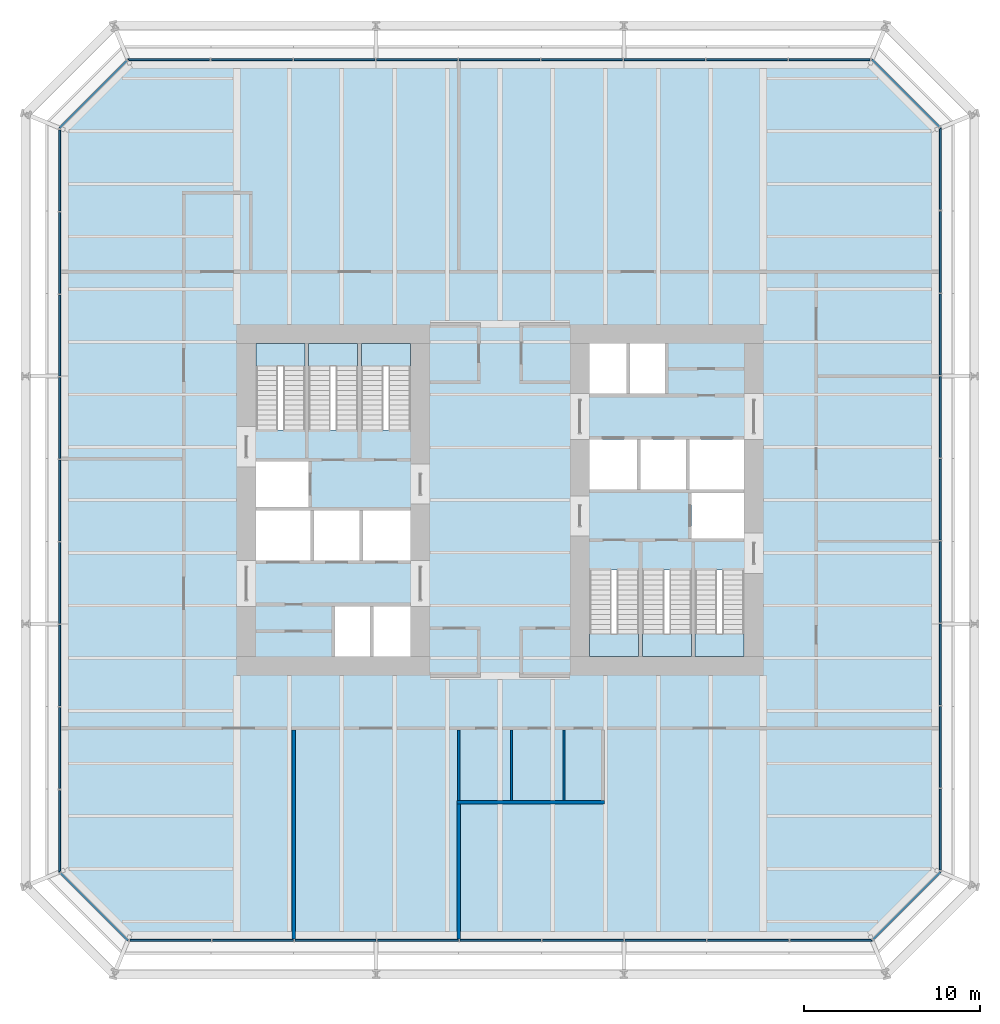
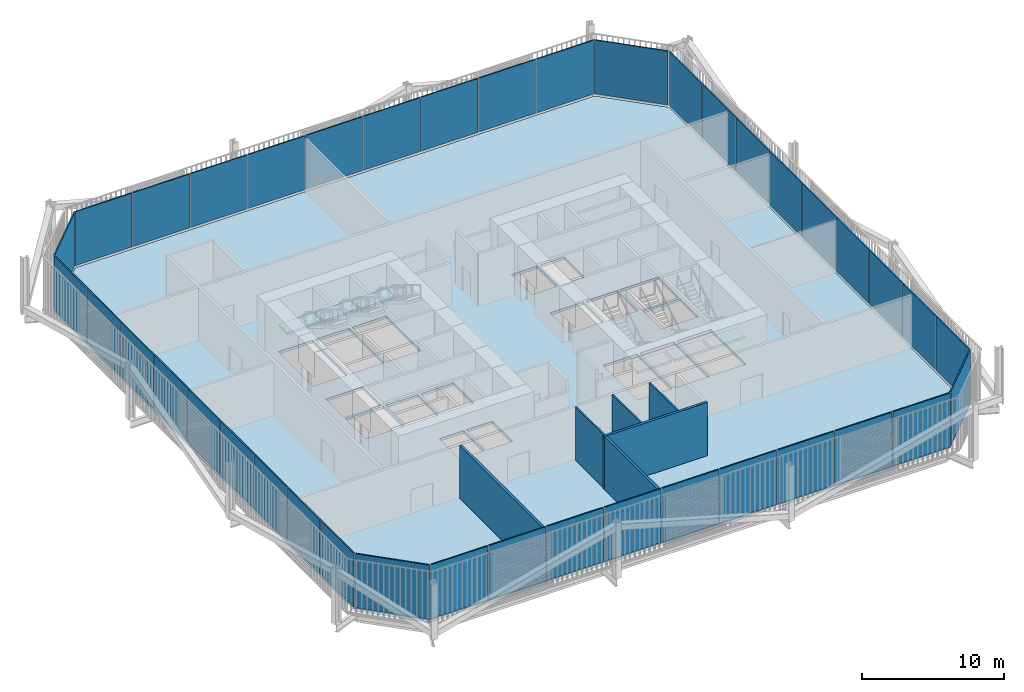
# One storey, part 17 of 22: 40 plates, 7 slabs, 6 walls, 14 elements without a shape of their own.
"""IFC4 building model written with IfcOpenShell, lengths in metres."""

from ifc_helpers import new_model, si_unit, direction, frame, frame_2d, origin, place, context, subcontext, project, spatial, polyline, rectangle, outline, extrude, material, layer, layer_set, type_object, element, aggregate, save


model = new_model("IFC4")

# Units and contexts
model_context = context("Model", 3, precision=1e-05, world=origin(), true_north=direction((0.0, 1.0)))
body_context = subcontext(model_context, "Body", "Model", "MODEL_VIEW")
ifc_project = project(units=[si_unit("LENGTHUNIT", "METRE"), si_unit("AREAUNIT", "SQUARE_METRE"), si_unit("VOLUMEUNIT", "CUBIC_METRE"), si_unit("PLANEANGLEUNIT", "RADIAN"), si_unit("MASSUNIT", "GRAM", prefix="KILO")], contexts=[model_context])

# Site, building, storey
site_placement = place(None, origin())
site = spatial("IfcSite", under=ifc_project, at=site_placement, CompositionType="ELEMENT")
building_placement = place(site_placement, origin())
building = spatial("IfcBuilding", under=site, at=building_placement, Name="Millrace Tower", CompositionType="ELEMENT")
storey_placement = place(building_placement, frame((0.0, 0.0, 30.5)))
storey = spatial("IfcBuildingStorey", under=building, at=storey_placement, Name="L07", CompositionType="ELEMENT", Elevation=30.5)

# Curtain wall, plate
ifc_material_1 = material(Name="Aluminium and glass", Category="aluminium")
ifc_layer_1 = layer(ifc_material_1, 0.14990234375)
ifc_layer_set_1 = layer_set([ifc_layer_1], Name="Aluminium and glass")
curtain_wall_type = type_object("IfcCurtainWallType", Name="CW-2 data hall insulated curtain wall", PredefinedType="NOTDEFINED", material=ifc_layer_set_1)
placement_1 = place(storey_placement, origin())
curtain_wall_1 = element("IfcCurtainWall", 1, at=placement_1, inside=storey, type_object=curtain_wall_type, Name="Curtain wall A-F01 L07", PredefinedType="NOTDEFINED")
ifc_material_2 = material(Name="Glass", Category="glass")
ifc_layer_2 = layer(ifc_material_2, 0.10009765625)
ifc_layer_set_2 = layer_set([ifc_layer_2], Name="Glass")
plate_type = type_object("IfcPlateType", Name="CW-2 data hall insulated curtain wall insulated cassette with vision slot", PredefinedType="CURTAIN_PANEL", material=ifc_layer_set_2)
placement_2 = place(storey_placement, frame((0.0, 0.0, 0.159912109375)))
plate_1 = element("IfcPlate", 2, at=placement_2, type_object=plate_type, Name="CW2 panel A-F01.1", PredefinedType="CURTAIN_PANEL", context=body_context, shape_type="SweptSolid", body=[
    extrude(outline(polyline([(-25.04248046875, -21.284423828125), (-21.20166015625, -25.125), (-21.160400390625, -25.02490234375), (-24.9716796875, -21.213623046875), (-25.04248046875, -21.284423828125)])), origin(), (0.0, 0.0, 1.0), 4.64013671875),
])
aggregate(curtain_wall_1, [plate_1])

# Curtain wall, plates
curtain_wall_2 = element("IfcCurtainWall", 3, at=placement_1, inside=storey, type_object=curtain_wall_type, Name="Curtain wall A-F02 L07", PredefinedType="NOTDEFINED")
plate_2 = element("IfcPlate", 4, at=placement_2, type_object=plate_type, Name="CW2 panel A-F02.1", PredefinedType="CURTAIN_PANEL", context=body_context, shape_type="SweptSolid", body=[
    extrude(outline(polyline([(-21.0849609375, -25.125), (-16.449951171875, -25.125), (-16.449951171875, -25.02490234375), (-21.0849609375, -25.02490234375), (-21.0849609375, -25.125)])), origin(), (0.0, 0.0, 1.0), 4.64013671875),
])
plate_3 = element("IfcPlate", 5, at=placement_2, type_object=plate_type, Name="CW2 panel A-F02.2", PredefinedType="CURTAIN_PANEL", context=body_context, shape_type="SweptSolid", body=[
    extrude(outline(polyline([(-16.385009765625, -25.125), (-11.75, -25.125), (-11.75, -25.02490234375), (-16.385009765625, -25.02490234375), (-16.385009765625, -25.125)])), origin(), (0.0, 0.0, 1.0), 4.64013671875),
])
plate_4 = element("IfcPlate", 6, at=placement_2, type_object=plate_type, Name="CW2 panel A-F02.3", PredefinedType="CURTAIN_PANEL", context=body_context, shape_type="SweptSolid", body=[
    extrude(outline(polyline([(-11.68505859375, -25.125), (-7.050048828125, -25.125), (-7.050048828125, -25.02490234375), (-11.68505859375, -25.02490234375), (-11.68505859375, -25.125)])), origin(), (0.0, 0.0, 1.0), 4.64013671875),
])
plate_5 = element("IfcPlate", 7, at=placement_2, type_object=plate_type, Name="CW2 panel A-F02.4", PredefinedType="CURTAIN_PANEL", context=body_context, shape_type="SweptSolid", body=[
    extrude(outline(polyline([(-6.985107421875, -25.125), (-2.35009765625, -25.125), (-2.35009765625, -25.02490234375), (-6.985107421875, -25.02490234375), (-6.985107421875, -25.125)])), origin(), (0.0, 0.0, 1.0), 4.64013671875),
])
plate_6 = element("IfcPlate", 8, at=placement_2, type_object=plate_type, Name="CW2 panel A-F02.5", PredefinedType="CURTAIN_PANEL", context=body_context, shape_type="SweptSolid", body=[
    extrude(outline(polyline([(-2.284912109375, -25.125), (2.35009765625, -25.125), (2.35009765625, -25.02490234375), (-2.284912109375, -25.02490234375), (-2.284912109375, -25.125)])), origin(), (0.0, 0.0, 1.0), 4.64013671875),
])
plate_7 = element("IfcPlate", 9, at=placement_2, type_object=plate_type, Name="CW2 panel A-F02.6", PredefinedType="CURTAIN_PANEL", context=body_context, shape_type="SweptSolid", body=[
    extrude(outline(polyline([(2.4150390625, -25.125), (7.050048828125, -25.125), (7.050048828125, -25.02490234375), (2.4150390625, -25.02490234375), (2.4150390625, -25.125)])), origin(), (0.0, 0.0, 1.0), 4.64013671875),
])
plate_8 = element("IfcPlate", 10, at=placement_2, type_object=plate_type, Name="CW2 panel A-F02.7", PredefinedType="CURTAIN_PANEL", context=body_context, shape_type="SweptSolid", body=[
    extrude(outline(polyline([(7.114990234375, -25.125), (11.75, -25.125), (11.75, -25.02490234375), (7.114990234375, -25.02490234375), (7.114990234375, -25.125)])), origin(), (0.0, 0.0, 1.0), 4.64013671875),
])
plate_9 = element("IfcPlate", 11, at=placement_2, type_object=plate_type, Name="CW2 panel A-F02.8", PredefinedType="CURTAIN_PANEL", context=body_context, shape_type="SweptSolid", body=[
    extrude(outline(polyline([(11.81494140625, -25.125), (16.449951171875, -25.125), (16.449951171875, -25.02490234375), (11.81494140625, -25.02490234375), (11.81494140625, -25.125)])), origin(), (0.0, 0.0, 1.0), 4.64013671875),
])
plate_10 = element("IfcPlate", 12, at=placement_2, type_object=plate_type, Name="CW2 panel A-F02.9", PredefinedType="CURTAIN_PANEL", context=body_context, shape_type="SweptSolid", body=[
    extrude(outline(polyline([(16.514892578125, -25.125), (21.20166015625, -25.125), (21.160400390625, -25.02490234375), (16.514892578125, -25.02490234375), (16.514892578125, -25.125)])), origin(), (0.0, 0.0, 1.0), 4.64013671875),
])
aggregate(curtain_wall_2, [plate_2, plate_3, plate_4, plate_5, plate_6, plate_7, plate_8, plate_9, plate_10])

# Curtain wall, plate
curtain_wall_3 = element("IfcCurtainWall", 13, at=placement_1, inside=storey, type_object=curtain_wall_type, Name="Curtain wall A-F03 L07", PredefinedType="NOTDEFINED")
plate_11 = element("IfcPlate", 14, at=placement_2, type_object=plate_type, Name="CW2 panel A-F03.1", PredefinedType="CURTAIN_PANEL", context=body_context, shape_type="SweptSolid", body=[
    extrude(outline(polyline([(21.284423828125, -25.04248046875), (25.125, -21.20166015625), (25.02490234375, -21.160400390625), (21.213623046875, -24.9716796875), (21.284423828125, -25.04248046875)])), origin(), (0.0, 0.0, 1.0), 4.64013671875),
])
aggregate(curtain_wall_3, [plate_11])

# Curtain wall, plates
curtain_wall_4 = element("IfcCurtainWall", 15, at=placement_1, inside=storey, type_object=curtain_wall_type, Name="Curtain wall A-F04 L07", PredefinedType="NOTDEFINED")
plate_12 = element("IfcPlate", 16, at=placement_2, type_object=plate_type, Name="CW2 panel A-F04.1", PredefinedType="CURTAIN_PANEL", context=body_context, shape_type="SweptSolid", body=[
    extrude(outline(polyline([(25.125, -21.0849609375), (25.125, -16.449951171875), (25.02490234375, -16.449951171875), (25.02490234375, -21.0849609375), (25.125, -21.0849609375)])), origin(), (0.0, 0.0, 1.0), 4.64013671875),
])
plate_13 = element("IfcPlate", 17, at=placement_2, type_object=plate_type, Name="CW2 panel A-F04.2", PredefinedType="CURTAIN_PANEL", context=body_context, shape_type="SweptSolid", body=[
    extrude(outline(polyline([(25.125, -16.385009765625), (25.125, -11.75), (25.02490234375, -11.75), (25.02490234375, -16.385009765625), (25.125, -16.385009765625)])), origin(), (0.0, 0.0, 1.0), 4.64013671875),
])
plate_14 = element("IfcPlate", 18, at=placement_2, type_object=plate_type, Name="CW2 panel A-F04.3", PredefinedType="CURTAIN_PANEL", context=body_context, shape_type="SweptSolid", body=[
    extrude(outline(polyline([(25.125, -11.68505859375), (25.125, -7.050048828125), (25.02490234375, -7.050048828125), (25.02490234375, -11.68505859375), (25.125, -11.68505859375)])), origin(), (0.0, 0.0, 1.0), 4.64013671875),
])
plate_15 = element("IfcPlate", 19, at=placement_2, type_object=plate_type, Name="CW2 panel A-F04.4", PredefinedType="CURTAIN_PANEL", context=body_context, shape_type="SweptSolid", body=[
    extrude(outline(polyline([(25.125, -6.985107421875), (25.125, -2.35009765625), (25.02490234375, -2.35009765625), (25.02490234375, -6.985107421875), (25.125, -6.985107421875)])), origin(), (0.0, 0.0, 1.0), 4.64013671875),
])
plate_16 = element("IfcPlate", 20, at=placement_2, type_object=plate_type, Name="CW2 panel A-F04.5", PredefinedType="CURTAIN_PANEL", context=body_context, shape_type="SweptSolid", body=[
    extrude(outline(polyline([(25.125, -2.284912109375), (25.125, 2.35009765625), (25.02490234375, 2.35009765625), (25.02490234375, -2.284912109375), (25.125, -2.284912109375)])), origin(), (0.0, 0.0, 1.0), 4.64013671875),
])
plate_17 = element("IfcPlate", 21, at=placement_2, type_object=plate_type, Name="CW2 panel A-F04.6", PredefinedType="CURTAIN_PANEL", context=body_context, shape_type="SweptSolid", body=[
    extrude(outline(polyline([(25.125, 2.4150390625), (25.125, 7.050048828125), (25.02490234375, 7.050048828125), (25.02490234375, 2.4150390625), (25.125, 2.4150390625)])), origin(), (0.0, 0.0, 1.0), 4.64013671875),
])
plate_18 = element("IfcPlate", 22, at=placement_2, type_object=plate_type, Name="CW2 panel A-F04.7", PredefinedType="CURTAIN_PANEL", context=body_context, shape_type="SweptSolid", body=[
    extrude(outline(polyline([(25.125, 7.114990234375), (25.125, 11.75), (25.02490234375, 11.75), (25.02490234375, 7.114990234375), (25.125, 7.114990234375)])), origin(), (0.0, 0.0, 1.0), 4.64013671875),
])
plate_19 = element("IfcPlate", 23, at=placement_2, type_object=plate_type, Name="CW2 panel A-F04.8", PredefinedType="CURTAIN_PANEL", context=body_context, shape_type="SweptSolid", body=[
    extrude(outline(polyline([(25.125, 11.81494140625), (25.125, 16.449951171875), (25.02490234375, 16.449951171875), (25.02490234375, 11.81494140625), (25.125, 11.81494140625)])), origin(), (0.0, 0.0, 1.0), 4.64013671875),
])
plate_20 = element("IfcPlate", 24, at=placement_2, type_object=plate_type, Name="CW2 panel A-F04.9", PredefinedType="CURTAIN_PANEL", context=body_context, shape_type="SweptSolid", body=[
    extrude(outline(polyline([(25.125, 16.514892578125), (25.125, 21.20166015625), (25.02490234375, 21.160400390625), (25.02490234375, 16.514892578125), (25.125, 16.514892578125)])), origin(), (0.0, 0.0, 1.0), 4.64013671875),
])
aggregate(curtain_wall_4, [plate_12, plate_13, plate_14, plate_15, plate_16, plate_17, plate_18, plate_19, plate_20])

# Curtain wall, plate
curtain_wall_5 = element("IfcCurtainWall", 25, at=placement_1, inside=storey, type_object=curtain_wall_type, Name="Curtain wall A-F05 L07", PredefinedType="NOTDEFINED")
plate_21 = element("IfcPlate", 26, at=placement_2, type_object=plate_type, Name="CW2 panel A-F05.1", PredefinedType="CURTAIN_PANEL", context=body_context, shape_type="SweptSolid", body=[
    extrude(outline(polyline([(25.04248046875, 21.284423828125), (21.20166015625, 25.125), (21.160400390625, 25.02490234375), (24.9716796875, 21.213623046875), (25.04248046875, 21.284423828125)])), origin(), (0.0, 0.0, 1.0), 4.64013671875),
])
aggregate(curtain_wall_5, [plate_21])

# Curtain wall, plates
curtain_wall_6 = element("IfcCurtainWall", 27, at=placement_1, inside=storey, type_object=curtain_wall_type, Name="Curtain wall A-F06 L07", PredefinedType="NOTDEFINED")
plate_22 = element("IfcPlate", 28, at=placement_2, type_object=plate_type, Name="CW2 panel A-F06.1", PredefinedType="CURTAIN_PANEL", context=body_context, shape_type="SweptSolid", body=[
    extrude(outline(polyline([(21.0849609375, 25.125), (16.449951171875, 25.125), (16.449951171875, 25.02490234375), (21.0849609375, 25.02490234375), (21.0849609375, 25.125)])), origin(), (0.0, 0.0, 1.0), 4.64013671875),
])
plate_23 = element("IfcPlate", 29, at=placement_2, type_object=plate_type, Name="CW2 panel A-F06.2", PredefinedType="CURTAIN_PANEL", context=body_context, shape_type="SweptSolid", body=[
    extrude(outline(polyline([(16.385009765625, 25.125), (11.75, 25.125), (11.75, 25.02490234375), (16.385009765625, 25.02490234375), (16.385009765625, 25.125)])), origin(), (0.0, 0.0, 1.0), 4.64013671875),
])
plate_24 = element("IfcPlate", 30, at=placement_2, type_object=plate_type, Name="CW2 panel A-F06.3", PredefinedType="CURTAIN_PANEL", context=body_context, shape_type="SweptSolid", body=[
    extrude(outline(polyline([(11.68505859375, 25.125), (7.050048828125, 25.125), (7.050048828125, 25.02490234375), (11.68505859375, 25.02490234375), (11.68505859375, 25.125)])), origin(), (0.0, 0.0, 1.0), 4.64013671875),
])
plate_25 = element("IfcPlate", 31, at=placement_2, type_object=plate_type, Name="CW2 panel A-F06.4", PredefinedType="CURTAIN_PANEL", context=body_context, shape_type="SweptSolid", body=[
    extrude(outline(polyline([(6.985107421875, 25.125), (2.35009765625, 25.125), (2.35009765625, 25.02490234375), (6.985107421875, 25.02490234375), (6.985107421875, 25.125)])), origin(), (0.0, 0.0, 1.0), 4.64013671875),
])
plate_26 = element("IfcPlate", 32, at=placement_2, type_object=plate_type, Name="CW2 panel A-F06.5", PredefinedType="CURTAIN_PANEL", context=body_context, shape_type="SweptSolid", body=[
    extrude(outline(polyline([(2.284912109375, 25.125), (-2.35009765625, 25.125), (-2.35009765625, 25.02490234375), (2.284912109375, 25.02490234375), (2.284912109375, 25.125)])), origin(), (0.0, 0.0, 1.0), 4.64013671875),
])
plate_27 = element("IfcPlate", 33, at=placement_2, type_object=plate_type, Name="CW2 panel A-F06.6", PredefinedType="CURTAIN_PANEL", context=body_context, shape_type="SweptSolid", body=[
    extrude(outline(polyline([(-2.4150390625, 25.125), (-7.050048828125, 25.125), (-7.050048828125, 25.02490234375), (-2.4150390625, 25.02490234375), (-2.4150390625, 25.125)])), origin(), (0.0, 0.0, 1.0), 4.64013671875),
])
plate_28 = element("IfcPlate", 34, at=placement_2, type_object=plate_type, Name="CW2 panel A-F06.7", PredefinedType="CURTAIN_PANEL", context=body_context, shape_type="SweptSolid", body=[
    extrude(outline(polyline([(-7.114990234375, 25.125), (-11.75, 25.125), (-11.75, 25.02490234375), (-7.114990234375, 25.02490234375), (-7.114990234375, 25.125)])), origin(), (0.0, 0.0, 1.0), 4.64013671875),
])
plate_29 = element("IfcPlate", 35, at=placement_2, type_object=plate_type, Name="CW2 panel A-F06.8", PredefinedType="CURTAIN_PANEL", context=body_context, shape_type="SweptSolid", body=[
    extrude(outline(polyline([(-11.81494140625, 25.125), (-16.449951171875, 25.125), (-16.449951171875, 25.02490234375), (-11.81494140625, 25.02490234375), (-11.81494140625, 25.125)])), origin(), (0.0, 0.0, 1.0), 4.64013671875),
])
plate_30 = element("IfcPlate", 36, at=placement_2, type_object=plate_type, Name="CW2 panel A-F06.9", PredefinedType="CURTAIN_PANEL", context=body_context, shape_type="SweptSolid", body=[
    extrude(outline(polyline([(-16.514892578125, 25.125), (-21.20166015625, 25.125), (-21.160400390625, 25.02490234375), (-16.514892578125, 25.02490234375), (-16.514892578125, 25.125)])), origin(), (0.0, 0.0, 1.0), 4.64013671875),
])
aggregate(curtain_wall_6, [plate_22, plate_23, plate_24, plate_25, plate_26, plate_27, plate_28, plate_29, plate_30])

# Curtain wall, plate
curtain_wall_7 = element("IfcCurtainWall", 37, at=placement_1, inside=storey, type_object=curtain_wall_type, Name="Curtain wall A-F07 L07", PredefinedType="NOTDEFINED")
plate_31 = element("IfcPlate", 38, at=placement_2, type_object=plate_type, Name="CW2 panel A-F07.1", PredefinedType="CURTAIN_PANEL", context=body_context, shape_type="SweptSolid", body=[
    extrude(outline(polyline([(-21.284423828125, 25.04248046875), (-25.125, 21.20166015625), (-25.02490234375, 21.160400390625), (-21.213623046875, 24.9716796875), (-21.284423828125, 25.04248046875)])), origin(), (0.0, 0.0, 1.0), 4.64013671875),
])
aggregate(curtain_wall_7, [plate_31])

# Curtain wall, plates
curtain_wall_8 = element("IfcCurtainWall", 39, at=placement_1, inside=storey, type_object=curtain_wall_type, Name="Curtain wall A-F08 L07", PredefinedType="NOTDEFINED")
plate_32 = element("IfcPlate", 40, at=placement_2, type_object=plate_type, Name="CW2 panel A-F08.1", PredefinedType="CURTAIN_PANEL", context=body_context, shape_type="SweptSolid", body=[
    extrude(outline(polyline([(-25.125, 21.0849609375), (-25.125, 16.449951171875), (-25.02490234375, 16.449951171875), (-25.02490234375, 21.0849609375), (-25.125, 21.0849609375)])), origin(), (0.0, 0.0, 1.0), 4.64013671875),
])
plate_33 = element("IfcPlate", 41, at=placement_2, type_object=plate_type, Name="CW2 panel A-F08.2", PredefinedType="CURTAIN_PANEL", context=body_context, shape_type="SweptSolid", body=[
    extrude(outline(polyline([(-25.125, 16.385009765625), (-25.125, 11.75), (-25.02490234375, 11.75), (-25.02490234375, 16.385009765625), (-25.125, 16.385009765625)])), origin(), (0.0, 0.0, 1.0), 4.64013671875),
])
plate_34 = element("IfcPlate", 42, at=placement_2, type_object=plate_type, Name="CW2 panel A-F08.3", PredefinedType="CURTAIN_PANEL", context=body_context, shape_type="SweptSolid", body=[
    extrude(outline(polyline([(-25.125, 11.68505859375), (-25.125, 7.050048828125), (-25.02490234375, 7.050048828125), (-25.02490234375, 11.68505859375), (-25.125, 11.68505859375)])), origin(), (0.0, 0.0, 1.0), 4.64013671875),
])
plate_35 = element("IfcPlate", 43, at=placement_2, type_object=plate_type, Name="CW2 panel A-F08.4", PredefinedType="CURTAIN_PANEL", context=body_context, shape_type="SweptSolid", body=[
    extrude(outline(polyline([(-25.125, 6.985107421875), (-25.125, 2.35009765625), (-25.02490234375, 2.35009765625), (-25.02490234375, 6.985107421875), (-25.125, 6.985107421875)])), origin(), (0.0, 0.0, 1.0), 4.64013671875),
])
plate_36 = element("IfcPlate", 44, at=placement_2, type_object=plate_type, Name="CW2 panel A-F08.5", PredefinedType="CURTAIN_PANEL", context=body_context, shape_type="SweptSolid", body=[
    extrude(outline(polyline([(-25.125, 2.284912109375), (-25.125, -2.35009765625), (-25.02490234375, -2.35009765625), (-25.02490234375, 2.284912109375), (-25.125, 2.284912109375)])), origin(), (0.0, 0.0, 1.0), 4.64013671875),
])
plate_37 = element("IfcPlate", 45, at=placement_2, type_object=plate_type, Name="CW2 panel A-F08.6", PredefinedType="CURTAIN_PANEL", context=body_context, shape_type="SweptSolid", body=[
    extrude(outline(polyline([(-25.125, -2.4150390625), (-25.125, -7.050048828125), (-25.02490234375, -7.050048828125), (-25.02490234375, -2.4150390625), (-25.125, -2.4150390625)])), origin(), (0.0, 0.0, 1.0), 4.64013671875),
])
plate_38 = element("IfcPlate", 46, at=placement_2, type_object=plate_type, Name="CW2 panel A-F08.7", PredefinedType="CURTAIN_PANEL", context=body_context, shape_type="SweptSolid", body=[
    extrude(outline(polyline([(-25.125, -7.114990234375), (-25.125, -11.75), (-25.02490234375, -11.75), (-25.02490234375, -7.114990234375), (-25.125, -7.114990234375)])), origin(), (0.0, 0.0, 1.0), 4.64013671875),
])
plate_39 = element("IfcPlate", 47, at=placement_2, type_object=plate_type, Name="CW2 panel A-F08.8", PredefinedType="CURTAIN_PANEL", context=body_context, shape_type="SweptSolid", body=[
    extrude(outline(polyline([(-25.125, -11.81494140625), (-25.125, -16.449951171875), (-25.02490234375, -16.449951171875), (-25.02490234375, -11.81494140625), (-25.125, -11.81494140625)])), origin(), (0.0, 0.0, 1.0), 4.64013671875),
])
plate_40 = element("IfcPlate", 48, at=placement_2, type_object=plate_type, Name="CW2 panel A-F08.9", PredefinedType="CURTAIN_PANEL", context=body_context, shape_type="SweptSolid", body=[
    extrude(outline(polyline([(-25.125, -16.514892578125), (-25.125, -21.20166015625), (-25.02490234375, -21.160400390625), (-25.02490234375, -16.514892578125), (-25.125, -16.514892578125)])), origin(), (0.0, 0.0, 1.0), 4.64013671875),
])
aggregate(curtain_wall_8, [plate_32, plate_33, plate_34, plate_35, plate_36, plate_37, plate_38, plate_39, plate_40])

# Slab
ifc_material_3 = material(Name="Concrete C35 on steel deck", Category="concrete")
ifc_layer_3 = layer(ifc_material_3, 0.22509765625)
ifc_layer_set_3 = layer_set([ifc_layer_3], Name="Concrete C35 on steel deck")
slab_type_1 = type_object("IfcSlabType", Name="Composite floor slab 225 mm", PredefinedType="FLOOR", material=ifc_layer_set_3)
slab_1_placement = place(storey_placement, frame((0.0, 0.0, -0.22509765625)))
element("IfcSlab", 49, at=slab_1_placement, inside=storey, type_object=slab_type_1, Name="SL-A-L07-S1", PredefinedType="FLOOR", context=body_context, shape_type="SweptSolid", body=[
    extrude(outline(polyline([(-25.0, -21.14990234375), (-21.14990234375, -25.0), (21.14990234375, -25.0), (25.0, -21.14990234375), (25.0, 21.14990234375), (21.14990234375, 25.0), (-21.14990234375, 25.0), (-25.0, 21.14990234375), (-25.0, -21.14990234375)]), holes=[polyline([(-9.39990234375, -8.89990234375), (-7.39990234375, -8.89990234375), (-7.39990234375, -6.050048828125), (-9.39990234375, -6.050048828125), (-9.39990234375, -8.89990234375)]), polyline([(-7.199951171875, -8.89990234375), (-5.10009765625, -8.89990234375), (-5.10009765625, -6.050048828125), (-7.199951171875, -6.050048828125), (-7.199951171875, -8.89990234375)]), polyline([(-13.89990234375, -3.449951171875), (-10.800048828125, -3.449951171875), (-10.800048828125, -0.60009765625), (-13.89990234375, -0.60009765625), (-13.89990234375, -3.449951171875)]), polyline([(-10.60009765625, -3.449951171875), (-8.0, -3.449951171875), (-8.0, -0.60009765625), (-10.60009765625, -0.60009765625), (-10.60009765625, -3.449951171875)]), polyline([(-7.800048828125, -3.449951171875), (-5.10009765625, -3.449951171875), (-5.10009765625, -0.60009765625), (-7.800048828125, -0.60009765625), (-7.800048828125, -3.449951171875)]), polyline([(-13.89990234375, -0.39990234375), (-10.89990234375, -0.39990234375), (-10.89990234375, 2.179931640625), (-13.89990234375, 2.179931640625), (-13.89990234375, -0.39990234375)]), polyline([(-13.89990234375, 4.0), (-11.10009765625, 4.0), (-11.10009765625, 8.89990234375), (-13.89990234375, 8.89990234375), (-13.89990234375, 4.0)]), polyline([(-10.89990234375, 4.0), (-8.10009765625, 4.0), (-8.10009765625, 8.89990234375), (-10.89990234375, 8.89990234375), (-10.89990234375, 4.0)]), polyline([(-7.89990234375, 4.0), (-5.10009765625, 4.0), (-5.10009765625, 8.89990234375), (-7.89990234375, 8.89990234375), (-7.89990234375, 4.0)]), polyline([(7.39990234375, 6.050048828125), (9.39990234375, 6.050048828125), (9.39990234375, 8.89990234375), (7.39990234375, 8.89990234375), (7.39990234375, 6.050048828125)]), polyline([(5.10009765625, 6.050048828125), (7.199951171875, 6.050048828125), (7.199951171875, 8.89990234375), (5.10009765625, 8.89990234375), (5.10009765625, 6.050048828125)]), polyline([(10.800048828125, 0.60009765625), (13.89990234375, 0.60009765625), (13.89990234375, 3.449951171875), (10.800048828125, 3.449951171875), (10.800048828125, 0.60009765625)]), polyline([(8.0, 0.60009765625), (10.60009765625, 0.60009765625), (10.60009765625, 3.449951171875), (8.0, 3.449951171875), (8.0, 0.60009765625)]), polyline([(5.10009765625, 0.60009765625), (7.800048828125, 0.60009765625), (7.800048828125, 3.449951171875), (5.10009765625, 3.449951171875), (5.10009765625, 0.60009765625)]), polyline([(10.89990234375, -2.179931640625), (13.89990234375, -2.179931640625), (13.89990234375, 0.39990234375), (10.89990234375, 0.39990234375), (10.89990234375, -2.179931640625)]), polyline([(11.10009765625, -8.89990234375), (13.89990234375, -8.89990234375), (13.89990234375, -4.0), (11.10009765625, -4.0), (11.10009765625, -8.89990234375)]), polyline([(8.10009765625, -8.89990234375), (10.89990234375, -8.89990234375), (10.89990234375, -4.0), (8.10009765625, -4.0), (8.10009765625, -8.89990234375)]), polyline([(5.10009765625, -8.89990234375), (7.89990234375, -8.89990234375), (7.89990234375, -4.0), (5.10009765625, -4.0), (5.10009765625, -8.89990234375)])]), origin(), (0.0, 0.0, 1.0), 0.22509765625),
])

# Stair, slab
ifc_material_4 = material(Name="Concrete C35", Category="concrete")
stair_type = type_object("IfcStairType", Name="Exit stair", PredefinedType="HALF_TURN_STAIR", material=ifc_material_4)
stair_1 = element("IfcStair", 50, at=placement_1, inside=storey, type_object=stair_type, Name="Stair 1 W L07", PredefinedType="HALF_TURN_STAIR")
ifc_material_5 = material(Name="Concrete C40", Category="concrete")
ifc_layer_4 = layer(ifc_material_5, 0.199951171875)
ifc_layer_set_4 = layer_set([ifc_layer_4], Name="Concrete C40")
slab_type_2 = type_object("IfcSlabType", Name="Stair landing", PredefinedType="LANDING", material=ifc_layer_set_4)
placement_3 = place(storey_placement, frame((0.0, 0.0, 2.199951171875)))
slab_2 = element("IfcSlab", 51, at=placement_3, type_object=slab_type_2, Name="ST12 landing 1", PredefinedType="LANDING", context=body_context, shape_type="SweptSolid", body=[
    extrude(outline(polyline([(-13.89990234375, 7.639892578125), (-11.10009765625, 7.639892578125), (-11.10009765625, 8.89990234375), (-13.89990234375, 8.89990234375), (-13.89990234375, 7.639892578125)])), origin(), (0.0, 0.0, 1.0), 0.199951171875),
])
aggregate(stair_1, [slab_2])

stair_2 = element("IfcStair", 52, at=placement_1, inside=storey, type_object=stair_type, Name="Stair 2 W L07", PredefinedType="HALF_TURN_STAIR")
slab_3 = element("IfcSlab", 53, at=placement_3, type_object=slab_type_2, Name="ST12 landing 1", PredefinedType="LANDING", context=body_context, shape_type="SweptSolid", body=[
    extrude(outline(polyline([(-10.89990234375, 7.639892578125), (-8.10009765625, 7.639892578125), (-8.10009765625, 8.89990234375), (-10.89990234375, 8.89990234375), (-10.89990234375, 7.639892578125)])), origin(), (0.0, 0.0, 1.0), 0.199951171875),
])
aggregate(stair_2, [slab_3])

stair_3 = element("IfcStair", 54, at=placement_1, inside=storey, type_object=stair_type, Name="Stair 3 W L07", PredefinedType="HALF_TURN_STAIR")
slab_4 = element("IfcSlab", 55, at=placement_3, type_object=slab_type_2, Name="ST12 landing 1", PredefinedType="LANDING", context=body_context, shape_type="SweptSolid", body=[
    extrude(outline(polyline([(-7.89990234375, 7.639892578125), (-5.10009765625, 7.639892578125), (-5.10009765625, 8.89990234375), (-7.89990234375, 8.89990234375), (-7.89990234375, 7.639892578125)])), origin(), (0.0, 0.0, 1.0), 0.199951171875),
])
aggregate(stair_3, [slab_4])

stair_4 = element("IfcStair", 56, at=placement_1, inside=storey, type_object=stair_type, Name="Stair 1 E L07", PredefinedType="HALF_TURN_STAIR")
slab_5 = element("IfcSlab", 57, at=placement_3, type_object=slab_type_2, Name="ST12 landing 1", PredefinedType="LANDING", context=body_context, shape_type="SweptSolid", body=[
    extrude(outline(polyline([(11.10009765625, -8.89990234375), (13.89990234375, -8.89990234375), (13.89990234375, -7.639892578125), (11.10009765625, -7.639892578125), (11.10009765625, -8.89990234375)])), origin(), (0.0, 0.0, 1.0), 0.199951171875),
])
aggregate(stair_4, [slab_5])

stair_5 = element("IfcStair", 58, at=placement_1, inside=storey, type_object=stair_type, Name="Stair 2 E L07", PredefinedType="HALF_TURN_STAIR")
slab_6 = element("IfcSlab", 59, at=placement_3, type_object=slab_type_2, Name="ST12 landing 1", PredefinedType="LANDING", context=body_context, shape_type="SweptSolid", body=[
    extrude(outline(polyline([(8.10009765625, -8.89990234375), (10.89990234375, -8.89990234375), (10.89990234375, -7.639892578125), (8.10009765625, -7.639892578125), (8.10009765625, -8.89990234375)])), origin(), (0.0, 0.0, 1.0), 0.199951171875),
])
aggregate(stair_5, [slab_6])

stair_6 = element("IfcStair", 60, at=placement_1, inside=storey, type_object=stair_type, Name="Stair 3 E L07", PredefinedType="HALF_TURN_STAIR")
slab_7 = element("IfcSlab", 61, at=placement_3, type_object=slab_type_2, Name="ST12 landing 1", PredefinedType="LANDING", context=body_context, shape_type="SweptSolid", body=[
    extrude(outline(polyline([(5.10009765625, -8.89990234375), (7.89990234375, -8.89990234375), (7.89990234375, -7.639892578125), (5.10009765625, -7.639892578125), (5.10009765625, -8.89990234375)])), origin(), (0.0, 0.0, 1.0), 0.199951171875),
])
aggregate(stair_6, [slab_7])

# Walls
ifc_material_6 = material(Name="Masonry partition, fire-rated", Category="masonry")
ifc_layer_5 = layer(ifc_material_6, 0.199951171875)
ifc_layer_set_5 = layer_set([ifc_layer_5], Name="Masonry partition, fire-rated")
wall_type_1 = type_object("IfcWallType", Name="Corridor wall 200", PredefinedType="PARTITIONING", material=ifc_layer_set_5)
wall_1_placement = place(storey_placement, frame((-2.449951171875, -17.199951171875, 0.0), z_axis=(0.0, 0.0, 1.0), x_axis=(1.0, 0.0, 0.0)))
element("IfcWall", 62, at=wall_1_placement, inside=storey, type_object=wall_type_1, Name="Corridor wall L07", PredefinedType="PARTITIONING", context=body_context, shape_type="SweptSolid", body=[
    extrude(rectangle(XDim=8.39990234375, YDim=0.199951171875, at=frame_2d((4.199951171875, 0.0))), origin(), (0.0, 0.0, 1.0), 4.574951171875),
])
wall_2_placement = place(storey_placement, frame((-2.35009765625, -25.030029296875, 0.0), z_axis=(0.0, 0.0, 1.0), x_axis=(0.0, 1.0, 0.0)))
element("IfcWall", 63, at=wall_2_placement, inside=storey, type_object=wall_type_1, Name="Corridor wall L07", PredefinedType="PARTITIONING", context=body_context, shape_type="SweptSolid", body=[
    extrude(rectangle(XDim=7.72998046875, YDim=0.199951171875, at=frame_2d((3.864990234375, 0.0))), origin(), (0.0, 0.0, 1.0), 4.574951171875),
])
wall_3_placement = place(storey_placement, frame((-11.75, -25.030029296875, 0.0), z_axis=(0.0, 0.0, 1.0), x_axis=(0.0, 1.0, 0.0)))
element("IfcWall", 64, at=wall_3_placement, inside=storey, type_object=wall_type_1, Name="Corridor wall L07", PredefinedType="PARTITIONING", context=body_context, shape_type="SweptSolid", body=[
    extrude(rectangle(XDim=11.929931640625, YDim=0.199951171875, at=frame_2d((5.96484375, 0.0))), origin(), (0.0, 0.0, 1.0), 4.574951171875),
])
ifc_material_7 = material(Name="Gypsum board partition")
ifc_layer_6 = layer(ifc_material_7, 0.1201171875)
ifc_layer_set_6 = layer_set([ifc_layer_6], Name="Gypsum board partition")
wall_type_2 = type_object("IfcWallType", Name="Partition wall 120", PredefinedType="PARTITIONING", material=ifc_layer_set_6)
for number, where, z_axis, x_axis, name in (
    (65, (3.64990234375, -17.10009765625, 0.0), (0.0, 0.0, 1.0), (0.0, 1.0, 0.0), "Partition wall L07"),
    (66, (0.64990234375, -17.10009765625, 0.0), (0.0, 0.0, 1.0), (0.0, 1.0, 0.0), "Partition wall L07"),
    (67, (-2.35009765625, -17.10009765625, 0.0), (0.0, 0.0, 1.0), (0.0, 1.0, 0.0), "Partition wall L07"),
):
    element("IfcWall", number, at=place(storey_placement, frame(where, z_axis=z_axis, x_axis=x_axis)), inside=storey, type_object=wall_type_2, Name=name, PredefinedType="PARTITIONING", context=body_context, shape_type="SweptSolid", body=[
        extrude(rectangle(XDim=4.0, YDim=0.1201171875, at=frame_2d((2.0, 0.0))), origin(), (0.0, 0.0, 1.0), 4.574951171875),
    ])

save(model, "model.ifc")
